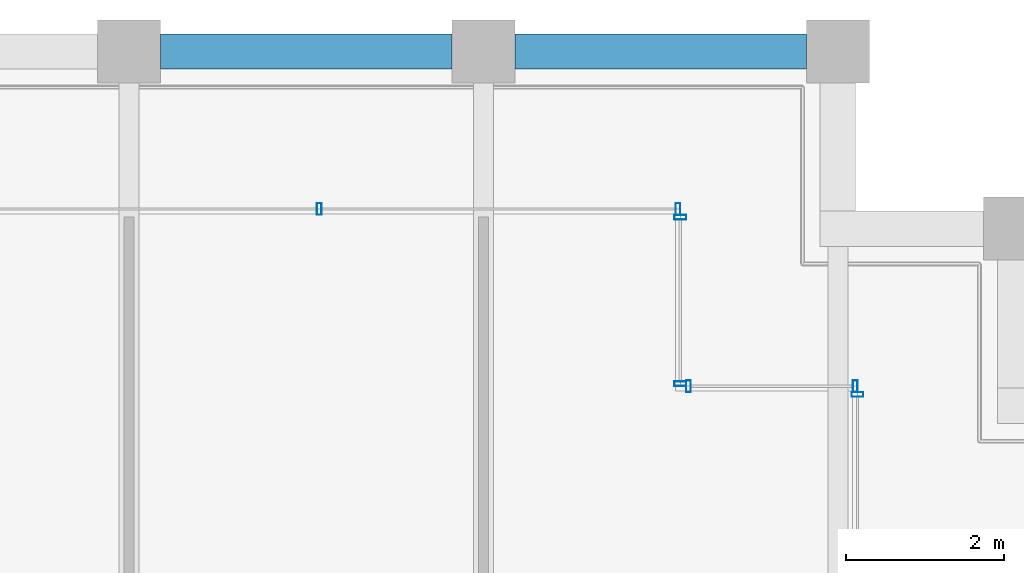
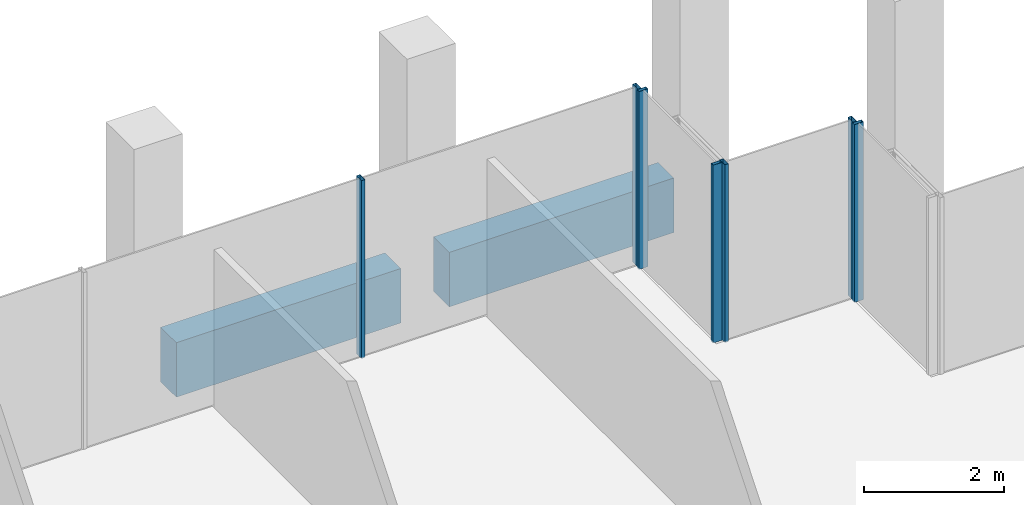
# One storey, part 26 of 30: 7 members, 2 beams, 4 elements without a shape of their own.
"""IFC4 building model written with IfcOpenShell, lengths in metres."""

from ifc_helpers import new_model, si_unit, direction, frame, origin, origin_2d, place, context, subcontext, project, spatial, rectangle, hollow_rectangle, extrude, material, material_profile, profile_set, type_object, element, aggregate, save


model = new_model("IFC4")

# Units and contexts
model_context = context("Model", 3, precision=1e-05, world=origin(), true_north=direction((0.0, 1.0)))
body_context = subcontext(model_context, "Body", "Model", "MODEL_VIEW")
ifc_project = project(units=[si_unit("LENGTHUNIT", "METRE"), si_unit("AREAUNIT", "SQUARE_METRE"), si_unit("VOLUMEUNIT", "CUBIC_METRE"), si_unit("PLANEANGLEUNIT", "RADIAN"), si_unit("MASSUNIT", "GRAM", prefix="KILO")], contexts=[model_context])

# Site, building, storey
site_placement = place(None, origin())
site = spatial("IfcSite", under=ifc_project, at=site_placement, CompositionType="ELEMENT")
building_placement = place(site_placement, origin())
building = spatial("IfcBuilding", under=site, at=building_placement, Name="Altepetl Exchange Towers", CompositionType="ELEMENT")
storey_placement = place(building_placement, frame((0.0, 0.0, 217.199951171875)))
storey = spatial("IfcBuildingStorey", under=building, at=storey_placement, Name="L55", CompositionType="ELEMENT", Elevation=217.199951171875)

# Curtain wall, member
ifc_material_1 = material(Name="Aluminium 6063-T6 glazing", Category="aluminium")
curtain_wall_type = type_object("IfcCurtainWallType", Name="Loggia glazing system", PredefinedType="NOTDEFINED", material=ifc_material_1)
curtain_wall_1_placement = place(storey_placement, origin())
curtain_wall_1 = element("IfcCurtainWall", 1, at=curtain_wall_1_placement, inside=storey, type_object=curtain_wall_type, Name="CW1 run", PredefinedType="NOTDEFINED")
ifc_material_2 = material(Name="Aluminium 6063-T6", Category="aluminium")
ifc_material_profile_1 = material_profile(ifc_material_2, hollow_rectangle(XDim=0.06005859375, YDim=0.14990234375, WallThickness=0.0029296875, at=origin_2d()), Name="Mullion 60x150 aluminium")
ifc_profile_set_1 = profile_set([ifc_material_profile_1], Name="Aluminium 6063-T6")
member_type = type_object("IfcMemberType", Name="Mullion 60x150 aluminium", PredefinedType="MULLION", material=ifc_profile_set_1)
member_1_placement = place(storey_placement, frame((67.75, 67.64501953125, 0.0), z_axis=(0.0, 0.0, 1.0), x_axis=(0.0, 1.0, 0.0)))
member_1 = element("IfcMember", 2, at=member_1_placement, type_object=member_type, Name="MU1 mullion", PredefinedType="MULLION", context=body_context, shape_type="SweptSolid", body=[
    extrude(hollow_rectangle(XDim=0.06005859375, YDim=0.14990234375, WallThickness=0.0029296875, at=origin_2d()), origin(), (0.0, 0.0, 1.0), 3.10009765625),
])
aggregate(curtain_wall_1, [member_1])

# Curtain wall, members
curtain_wall_2_placement = place(storey_placement, origin())
curtain_wall_2 = element("IfcCurtainWall", 3, at=curtain_wall_2_placement, inside=storey, type_object=curtain_wall_type, Name="CW1 run", PredefinedType="NOTDEFINED")
member_2_placement = place(storey_placement, frame((67.719970703125, 67.75, 0.0), z_axis=(0.0, 0.0, 1.0), x_axis=(-1.0, 0.0, 0.0)))
member_2 = element("IfcMember", 4, at=member_2_placement, type_object=member_type, Name="MU1 mullion", PredefinedType="MULLION", context=body_context, shape_type="SweptSolid", body=[
    extrude(hollow_rectangle(XDim=0.06005859375, YDim=0.14990234375, WallThickness=0.0029296875, at=origin_2d()), origin(), (0.0, 0.0, 1.0), 3.10009765625),
])
member_3_placement = place(storey_placement, frame((65.60498046875, 67.75, 0.0), z_axis=(0.0, 0.0, 1.0), x_axis=(-1.0, 0.0, 0.0)))
member_3 = element("IfcMember", 5, at=member_3_placement, type_object=member_type, Name="MU1 mullion", PredefinedType="MULLION", context=body_context, shape_type="SweptSolid", body=[
    extrude(hollow_rectangle(XDim=0.06005859375, YDim=0.14990234375, WallThickness=0.0029296875, at=origin_2d()), origin(), (0.0, 0.0, 1.0), 3.10009765625),
])
aggregate(curtain_wall_2, [member_2, member_3])

curtain_wall_3_placement = place(storey_placement, origin())
curtain_wall_3 = element("IfcCurtainWall", 6, at=curtain_wall_3_placement, inside=storey, type_object=curtain_wall_type, Name="CW1 run", PredefinedType="NOTDEFINED")
member_4_placement = place(storey_placement, frame((65.5, 67.780029296875, 0.0), z_axis=(0.0, 0.0, 1.0), x_axis=(0.0, 1.0, 0.0)))
member_4 = element("IfcMember", 7, at=member_4_placement, type_object=member_type, Name="MU1 mullion", PredefinedType="MULLION", context=body_context, shape_type="SweptSolid", body=[
    extrude(hollow_rectangle(XDim=0.06005859375, YDim=0.14990234375, WallThickness=0.0029296875, at=origin_2d()), origin(), (0.0, 0.0, 1.0), 3.10009765625),
])
member_5_placement = place(storey_placement, frame((65.5, 69.89501953125, 0.0), z_axis=(0.0, 0.0, 1.0), x_axis=(0.0, 1.0, 0.0)))
member_5 = element("IfcMember", 8, at=member_5_placement, type_object=member_type, Name="MU1 mullion", PredefinedType="MULLION", context=body_context, shape_type="SweptSolid", body=[
    extrude(hollow_rectangle(XDim=0.06005859375, YDim=0.14990234375, WallThickness=0.0029296875, at=origin_2d()), origin(), (0.0, 0.0, 1.0), 3.10009765625),
])
aggregate(curtain_wall_3, [member_4, member_5])

curtain_wall_4_placement = place(storey_placement, origin())
curtain_wall_4 = element("IfcCurtainWall", 9, at=curtain_wall_4_placement, inside=storey, type_object=curtain_wall_type, Name="CW1 run", PredefinedType="NOTDEFINED")
member_6_placement = place(storey_placement, frame((65.469970703125, 70.0, 0.0), z_axis=(0.0, 0.0, 1.0), x_axis=(-1.0, 0.0, 0.0)))
member_6 = element("IfcMember", 10, at=member_6_placement, type_object=member_type, Name="MU1 mullion", PredefinedType="MULLION", context=body_context, shape_type="SweptSolid", body=[
    extrude(hollow_rectangle(XDim=0.06005859375, YDim=0.14990234375, WallThickness=0.0029296875, at=origin_2d()), origin(), (0.0, 0.0, 1.0), 3.10009765625),
])
member_7_placement = place(storey_placement, frame((60.9150390625, 70.0, 0.0), z_axis=(0.0, 0.0, 1.0), x_axis=(-1.0, 0.0, 0.0)))
member_7 = element("IfcMember", 11, at=member_7_placement, type_object=member_type, Name="MU1 mullion", PredefinedType="MULLION", context=body_context, shape_type="SweptSolid", body=[
    extrude(hollow_rectangle(XDim=0.06005859375, YDim=0.14990234375, WallThickness=0.0029296875, at=origin_2d()), origin(), (0.0, 0.0, 1.0), 3.10009765625),
])
aggregate(curtain_wall_4, [member_6, member_7])

# Beams
ifc_material_3 = material(Name="Concrete C50/60 precast with cantera rosa facing", Category="concrete")
ifc_material_profile_2 = material_profile(ifc_material_3, rectangle(XDim=0.449951171875, YDim=0.949951171875, at=origin_2d()), Name="450 x 950")
ifc_profile_set_2 = profile_set([ifc_material_profile_2], Name="Concrete C50/60 precast with cantera rosa facing")
beam_type = type_object("IfcBeamType", Name="Spandrel beam 450x950 cantera rosa", PredefinedType="SPANDREL", material=ifc_profile_set_2)
for number, where, z_axis, x_axis, name in (
    (12, (67.10009765625, 72.0, -0.625), (-1.0, 0.0, 0.0), (0.0, -1.0, 0.0), "sp:A:L55:024"),
    (13, (62.60009765625, 72.0, -0.625), (-1.0, 0.0, 0.0), (0.0, -1.0, 0.0), "sp:A:L55:025"),
):
    element("IfcBeam", number, at=place(storey_placement, frame(where, z_axis=z_axis, x_axis=x_axis)), inside=storey, type_object=beam_type, Name=name, PredefinedType="SPANDREL", context=body_context, shape_type="SweptSolid", body=[
        extrude(rectangle(XDim=0.449951171875, YDim=0.949951171875, at=origin_2d()), origin(), (0.0, 0.0, 1.0), 3.7001953125),
    ])

save(model, "model.ifc")
